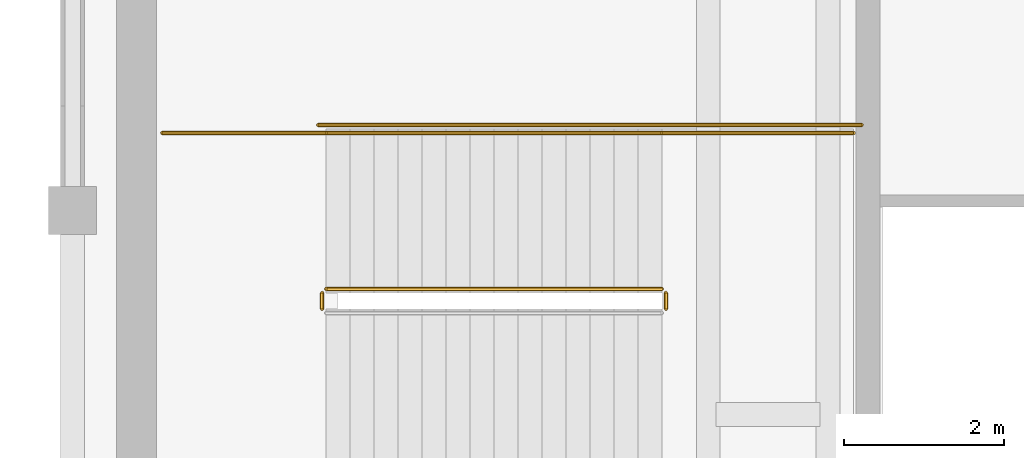
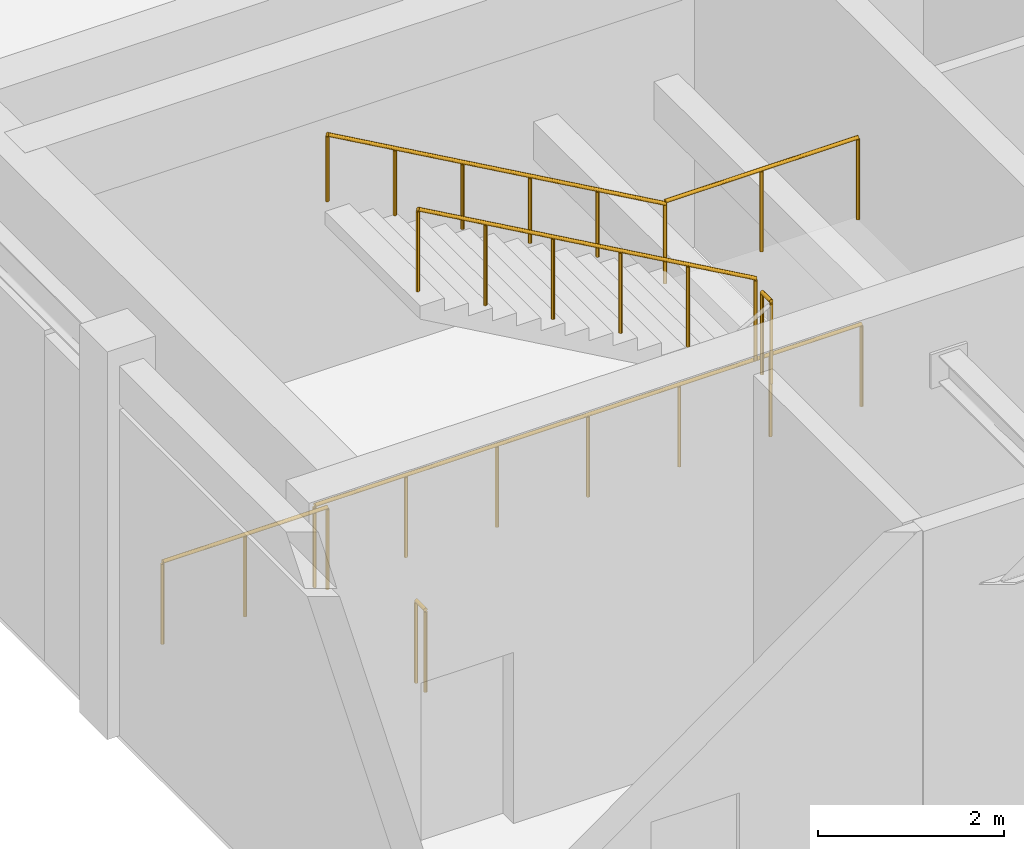
# One storey, part 67 of 70: 7 railings.
"""IFC4 building model written with IfcOpenShell, lengths in metres."""

from ifc_helpers import new_model, si_unit, direction, frame, origin, origin_2d, place, context, subcontext, project, spatial, circle, extrude, material, type_object, element, save


model = new_model("IFC4")

# Units and contexts
model_context = context("Model", 3, precision=1e-05, world=origin(), true_north=direction((0.0, 1.0)))
body_context = subcontext(model_context, "Body", "Model", "MODEL_VIEW")
ifc_project = project(units=[si_unit("LENGTHUNIT", "METRE"), si_unit("AREAUNIT", "SQUARE_METRE"), si_unit("VOLUMEUNIT", "CUBIC_METRE"), si_unit("PLANEANGLEUNIT", "RADIAN"), si_unit("MASSUNIT", "GRAM", prefix="KILO")], contexts=[model_context])

# Site, building, storey
site_placement = place(None, origin())
site = spatial("IfcSite", under=ifc_project, at=site_placement, CompositionType="ELEMENT")
building_placement = place(site_placement, origin())
building = spatial("IfcBuilding", under=site, at=building_placement, Name="Tarnveldt Square Police Headquarters", CompositionType="ELEMENT")
storey_placement = place(building_placement, frame((0.0, 0.0, 19.800048828125)))
storey = spatial("IfcBuildingStorey", under=building, at=storey_placement, Name="L04", CompositionType="ELEMENT", Elevation=19.800048828125)

# Railings
ifc_material = material(Name="Steel 350W", Category="steel")
railing_type_1 = type_object("IfcRailingType", Name="RL-GR-1100", PredefinedType="GUARDRAIL", material=ifc_material)
railing_1_placement = place(storey_placement, frame((23.6201171875, 62.77001953125, 2.550048828125)))
element("IfcRailing", 1, at=railing_1_placement, inside=storey, type_object=railing_type_1, Name="L04 ST1 stair guard 2", PredefinedType="GUARDRAIL", context=body_context, shape_type="SweptSolid", body=[
    extrude(circle(Radius=0.02392578125, at=origin_2d()), frame((0.0, 0.0, 1.076171875), z_axis=(0.0, 1.0, 0.0), x_axis=(-1.0, 0.0, 0.0)), (0.0, 0.0, 1.0), 0.199951171875),
    extrude(circle(Radius=0.02099609375, at=origin_2d()), origin(), (0.0, 0.0, 1.0), 1.052001953125),
    extrude(circle(Radius=0.02099609375, at=origin_2d()), frame((0.0, 0.199951171875, 0.0)), (0.0, 0.0, 1.0), 1.052001953125),
])
railing_2_placement = place(storey_placement, frame((23.570068359375, 64.969970703125, 2.550048828125)))
element("IfcRailing", 2, at=railing_2_placement, inside=storey, type_object=railing_type_1, Name="L04 ST1 stair guard 3", PredefinedType="GUARDRAIL", context=body_context, shape_type="SweptSolid", body=[
    extrude(circle(Radius=0.02392578125, at=origin_2d()), frame((0.0, 0.0, 1.076171875), z_axis=(1.0, 0.0, 0.0), x_axis=(0.0, 1.0, 0.0)), (0.0, 0.0, 1.0), 2.39990234375),
    extrude(circle(Radius=0.02099609375, at=origin_2d()), origin(), (0.0, 0.0, 1.0), 1.052001953125),
    extrude(circle(Radius=0.02099609375, at=origin_2d()), frame((1.199951171875, 0.0, 0.0)), (0.0, 0.0, 1.0), 1.052001953125),
    extrude(circle(Radius=0.02099609375, at=origin_2d()), frame((2.39990234375, 0.0, 0.0)), (0.0, 0.0, 1.0), 1.052001953125),
])
railing_3_placement = place(storey_placement, frame((23.570068359375, 63.02001953125, 2.719970703125)))
element("IfcRailing", 3, at=railing_3_placement, inside=storey, type_object=railing_type_1, Name="L04 ST1 stair guard 4", PredefinedType="GUARDRAIL", context=body_context, shape_type="SweptSolid", body=[
    extrude(circle(Radius=0.02392578125, at=origin_2d()), frame((0.0, 0.0, 1.076171875), z_axis=(-0.870030139814, 0.0, 0.492998535308), x_axis=(0.0, -1.0, 0.0)), (0.0, 0.0, 1.0), 4.827392578125),
    extrude(circle(Radius=0.02099609375, at=origin_2d()), origin(), (0.0, 0.0, 1.0), 1.052001953125),
    extrude(circle(Radius=0.02099609375, at=origin_2d()), frame((-0.840087890625, 0.0, 0.47607421875)), (0.0, 0.0, 1.0), 1.052001953125),
    extrude(circle(Radius=0.02099609375, at=origin_2d()), frame((-1.679931640625, 0.0, 0.951904296875)), (0.0, 0.0, 1.0), 1.052001953125),
    extrude(circle(Radius=0.02099609375, at=origin_2d()), frame((-2.52001953125, 0.0, 1.427978515625)), (0.0, 0.0, 1.0), 1.052001953125),
    extrude(circle(Radius=0.02099609375, at=origin_2d()), frame((-3.35986328125, 0.0, 1.90380859375)), (0.0, 0.0, 1.0), 1.052001953125),
    extrude(circle(Radius=0.02099609375, at=origin_2d()), frame((-4.199951171875, 0.0, 2.3798828125)), (0.0, 0.0, 1.0), 1.052001953125),
])
railing_4_placement = place(storey_placement, frame((19.320068359375, 62.77001953125, 0.0)))
element("IfcRailing", 4, at=railing_4_placement, inside=storey, type_object=railing_type_1, Name="L04 ST1 stair guard 5", PredefinedType="GUARDRAIL", context=body_context, shape_type="SweptSolid", body=[
    extrude(circle(Radius=0.02392578125, at=origin_2d()), frame((0.0, 0.0, 1.076171875), z_axis=(0.0, 1.0, 0.0), x_axis=(-1.0, 0.0, 0.0)), (0.0, 0.0, 1.0), 0.199951171875),
    extrude(circle(Radius=0.02099609375, at=origin_2d()), origin(), (0.0, 0.0, 1.0), 1.052001953125),
    extrude(circle(Radius=0.02099609375, at=origin_2d()), frame((0.0, 0.199951171875, 0.0)), (0.0, 0.0, 1.0), 1.052001953125),
])
railing_5_placement = place(storey_placement, frame((17.320068359375, 64.969970703125, 0.0)))
element("IfcRailing", 5, at=railing_5_placement, inside=storey, type_object=railing_type_1, Name="L04 ST1 stair guard 6", PredefinedType="GUARDRAIL", context=body_context, shape_type="SweptSolid", body=[
    extrude(circle(Radius=0.02392578125, at=origin_2d()), frame((0.0, 0.0, 1.076171875), z_axis=(1.0, 0.0, 0.0), x_axis=(0.0, 1.0, 0.0)), (0.0, 0.0, 1.0), 2.050048828125),
    extrude(circle(Radius=0.02099609375, at=origin_2d()), origin(), (0.0, 0.0, 1.0), 1.052001953125),
    extrude(circle(Radius=0.02099609375, at=origin_2d()), frame((1.02490234375, 0.0, 0.0)), (0.0, 0.0, 1.0), 1.052001953125),
    extrude(circle(Radius=0.02099609375, at=origin_2d()), frame((2.050048828125, 0.0, 0.0)), (0.0, 0.0, 1.0), 1.052001953125),
])
railing_6_placement = place(storey_placement, frame((19.27001953125, 65.070068359375, 0.0)))
element("IfcRailing", 6, at=railing_6_placement, inside=storey, type_object=railing_type_1, Name="L04 ST1 stair guard 7", PredefinedType="GUARDRAIL", context=body_context, shape_type="SweptSolid", body=[
    extrude(circle(Radius=0.02392578125, at=origin_2d()), frame((0.0, 0.0, 1.076171875), z_axis=(1.0, 0.0, 0.0), x_axis=(0.0, 1.0, 0.0)), (0.0, 0.0, 1.0), 6.800048828125),
    extrude(circle(Radius=0.02099609375, at=origin_2d()), origin(), (0.0, 0.0, 1.0), 1.052001953125),
    extrude(circle(Radius=0.02099609375, at=origin_2d()), frame((1.13330078125, 0.0, 0.0)), (0.0, 0.0, 1.0), 1.052001953125),
    extrude(circle(Radius=0.02099609375, at=origin_2d()), frame((2.2666015625, 0.0, 0.0)), (0.0, 0.0, 1.0), 1.052001953125),
    extrude(circle(Radius=0.02099609375, at=origin_2d()), frame((3.39990234375, 0.0, 0.0)), (0.0, 0.0, 1.0), 1.052001953125),
    extrude(circle(Radius=0.02099609375, at=origin_2d()), frame((4.533447265625, 0.0, 0.0)), (0.0, 0.0, 1.0), 1.052001953125),
    extrude(circle(Radius=0.02099609375, at=origin_2d()), frame((5.666748046875, 0.0, 0.0)), (0.0, 0.0, 1.0), 1.052001953125),
    extrude(circle(Radius=0.02099609375, at=origin_2d()), frame((6.800048828125, 0.0, 0.0)), (0.0, 0.0, 1.0), 1.052001953125),
])
railing_type_2 = type_object("IfcRailingType", Name="RL-HR-900", PredefinedType="HANDRAIL", material=ifc_material)
railing_7_placement = place(storey_placement, frame((23.570068359375, 64.969970703125, 2.719970703125)))
element("IfcRailing", 7, at=railing_7_placement, inside=storey, type_object=railing_type_2, Name="L04 ST1 stair handrail 2", PredefinedType="HANDRAIL", context=body_context, shape_type="SweptSolid", body=[
    extrude(circle(Radius=0.02392578125, at=origin_2d()), frame((0.0, 0.0, 0.8759765625), z_axis=(-0.870030139814, 0.0, 0.492998535308), x_axis=(0.0, -1.0, 0.0)), (0.0, 0.0, 1.0), 4.827392578125),
    extrude(circle(Radius=0.02099609375, at=origin_2d()), origin(), (0.0, 0.0, 1.0), 0.851806640625),
    extrude(circle(Radius=0.02099609375, at=origin_2d()), frame((-0.840087890625, 0.0, 0.47607421875)), (0.0, 0.0, 1.0), 0.851806640625),
    extrude(circle(Radius=0.02099609375, at=origin_2d()), frame((-1.679931640625, 0.0, 0.951904296875)), (0.0, 0.0, 1.0), 0.851806640625),
    extrude(circle(Radius=0.02099609375, at=origin_2d()), frame((-2.52001953125, 0.0, 1.427978515625)), (0.0, 0.0, 1.0), 0.851806640625),
    extrude(circle(Radius=0.02099609375, at=origin_2d()), frame((-3.35986328125, 0.0, 1.90380859375)), (0.0, 0.0, 1.0), 0.851806640625),
    extrude(circle(Radius=0.02099609375, at=origin_2d()), frame((-4.199951171875, 0.0, 2.3798828125)), (0.0, 0.0, 1.0), 0.851806640625),
])

save(model, "model.ifc")
